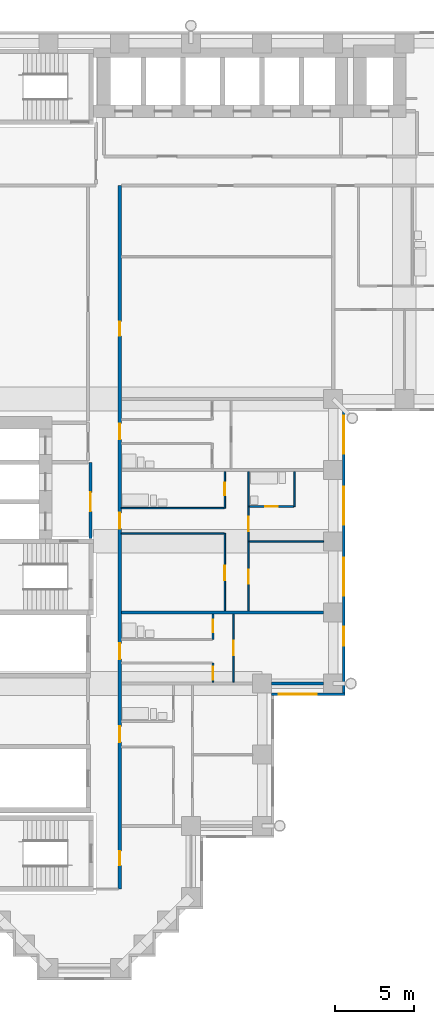
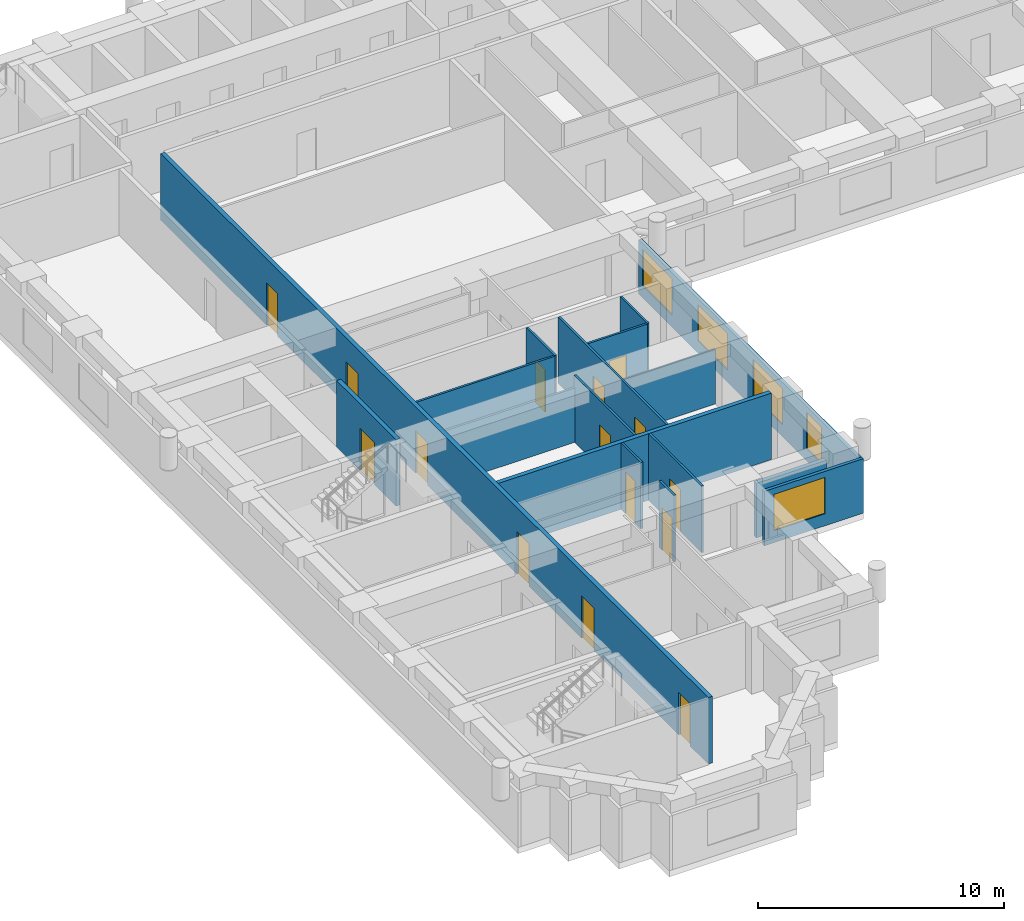
# One storey, part 6 of 14: 17 walls, 15 doors, 5 windows, 20 openings.
"""IFC4 building model written with IfcOpenShell, lengths in metres."""

import ifcopenshell
import ifcopenshell.guid

model = None  # the IFC model being written
_history = None  # IfcOwnerHistory: only IFC2X3 demands one
_inside = {}  # id of a spatial element -> (the spatial element, [elements in it])
_under = {}  # id of a project, library or spatial element -> (it, [spatial elements below it])
_declared = {}  # id of a project -> (the project, [libraries it declares])
_typed = {}  # id of a type object -> (the type object, [elements of that type])
_made_of = {}  # id of a material, layer set ... -> (it, [elements and type objects made of it])


def new_model(schema):
    """Start an empty IFC model of exactly this schema.

    Asked for "IFC4X3", IfcOpenShell would pick the latest addendum, in which some entities
    have other attributes; the version numbers below select the first issue.
    IFC2X3 requires an IfcOwnerHistory on every rooted entity: one is made here for all.
    """
    global model, _history
    if schema == "IFC4X3":
        model = ifcopenshell.file(schema_version=(4, 3, 0, 0))
    else:
        model = ifcopenshell.file(schema=schema)
    _inside.clear()
    _under.clear()
    _declared.clear()
    _typed.clear()
    _made_of.clear()
    _history = None
    if model.schema == "IFC2X3":
        org = make("IfcOrganization", Name="unknown")
        user = make(
            "IfcPersonAndOrganization",
            ThePerson=make("IfcPerson", FamilyName="unknown"),
            TheOrganization=org,
        )
        app = make(
            "IfcApplication",
            ApplicationDeveloper=org,
            Version="unknown",
            ApplicationFullName="unknown",
            ApplicationIdentifier="unknown",
        )
        _history = make(
            "IfcOwnerHistory",
            OwningUser=user,
            OwningApplication=app,
            ChangeAction="ADDED",
            CreationDate=0,
        )
    return model


def make(cls, **values):
    """One entity of the class cls with the attributes given. An attribute that is None is left unset."""
    return model.create_entity(
        cls, **{name: value for name, value in values.items() if value is not None}
    )


def rooted(cls, **values):
    """An entity with a GlobalId (a new one), such as an element, a storey or a relation."""
    return make(cls, GlobalId=ifcopenshell.guid.new(), OwnerHistory=_history, **values)


def si_unit(unit_type, name, prefix=None):
    """IfcSIUnit, for example si_unit("LENGTHUNIT", "METRE", prefix="MILLI")."""
    return make("IfcSIUnit", UnitType=unit_type, Prefix=prefix, Name=name)


def assignment(units):
    """IfcUnitAssignment: the units of a project."""
    return None if units is None else make("IfcUnitAssignment", Units=units)


def point(xyz):
    """IfcCartesianPoint."""
    return None if xyz is None else make("IfcCartesianPoint", Coordinates=xyz)


def direction(xyz):
    """IfcDirection."""
    return None if xyz is None else make("IfcDirection", DirectionRatios=xyz)


def frame(location, z_axis=None, x_axis=None):
    """IfcAxis2Placement3D, a coordinate frame: its origin and axes. An axis left out is left unset."""
    return make(
        "IfcAxis2Placement3D",
        Location=point(location),
        Axis=direction(z_axis),
        RefDirection=direction(x_axis),
    )


def frame_2d(location, x_axis=None):
    """IfcAxis2Placement2D, a coordinate frame in the plane: its origin and x axis."""
    return make(
        "IfcAxis2Placement2D", Location=point(location), RefDirection=direction(x_axis)
    )


def origin():
    """The frame at (0, 0, 0) with its axes left unset."""
    return frame((0.0, 0.0, 0.0))


def place(relative_to, where):
    """IfcLocalPlacement: puts the frame where relative to a parent placement (None: the world)."""
    return make(
        "IfcLocalPlacement", PlacementRelTo=relative_to, RelativePlacement=where
    )


def context(
    kind, dimensions, precision=None, world=None, true_north=None, identifier=None
):
    """IfcGeometricRepresentationContext, for example the 3D "Model" context."""
    return make(
        "IfcGeometricRepresentationContext",
        ContextIdentifier=identifier,
        ContextType=kind,
        CoordinateSpaceDimension=dimensions,
        Precision=precision,
        WorldCoordinateSystem=world,
        TrueNorth=true_north,
    )


def subcontext(parent, identifier, kind, view, scale=None):
    """IfcGeometricRepresentationSubContext, for example "Body" below "Model"."""
    return make(
        "IfcGeometricRepresentationSubContext",
        ContextIdentifier=identifier,
        ContextType=kind,
        ParentContext=parent,
        TargetScale=scale,
        TargetView=view,
    )


def project(units=None, contexts=None):
    """IfcProject with its units and contexts."""
    return rooted(
        "IfcProject",
        Name="project",
        RepresentationContexts=contexts,
        UnitsInContext=assignment(units),
    )


def spatial(cls, under=None, at=None, **own):
    """A site, building, storey or space (cls), placed at a placement, below another one or the project."""
    s = rooted(cls, ObjectPlacement=at, **own)
    if under is not None:
        _under.setdefault(under.id(), (under, []))[1].append(s)
    return s


def profile(cls, at=None, kind="AREA", **sizes):
    """A parametric profile (cls). Its sizes go by their IFC names, for example OverallWidth=200.0."""
    return make(cls, ProfileType=kind, Position=at, **sizes)


def rectangle(**sizes):
    """IfcRectangleProfileDef."""
    return profile("IfcRectangleProfileDef", **sizes)


def extrude(swept, where, along, depth):
    """IfcExtrudedAreaSolid: the profile swept, set in the frame where, extruded along a direction by depth."""
    return make(
        "IfcExtrudedAreaSolid",
        SweptArea=swept,
        Position=where,
        ExtrudedDirection=direction(along),
        Depth=depth,
    )


def shape(context_of_items, identifier, shape_type, items):
    """IfcShapeRepresentation: the items that make up one representation, for example the "Body"."""
    return make(
        "IfcShapeRepresentation",
        ContextOfItems=context_of_items,
        RepresentationIdentifier=identifier,
        RepresentationType=shape_type,
        Items=items,
    )


def material(Name=None, Category=None):
    """IfcMaterial."""
    return make("IfcMaterial", Name=Name, Category=Category)


def layer(
    of_material, thickness, ventilated=None, Name=None, Category=None, Priority=None
):
    """IfcMaterialLayer: one layer of a wall or slab, of a material (None: an air gap)."""
    return make(
        "IfcMaterialLayer",
        Material=of_material,
        LayerThickness=thickness,
        IsVentilated=ventilated,
        Name=Name,
        Category=Category,
        Priority=Priority,
    )


def layer_set(layers, Name=None):
    """IfcMaterialLayerSet."""
    return make("IfcMaterialLayerSet", MaterialLayers=layers, LayerSetName=Name)


def made_of(thing, what):
    """Note that an element or type object is made of a material, layer set ...; save() writes the relation."""
    if what is not None:
        _made_of.setdefault(what.id(), (what, []))[1].append(thing)
    return thing


def type_object(cls, material=None, **own):
    """A type object (cls), such as IfcWallType, which elements share."""
    return made_of(rooted(cls, **own), material)


def element(
    cls,
    number,
    at=None,
    inside=None,
    cuts=None,
    type_object=None,
    material=None,
    context=None,
    identifier="Body",
    shape_type=None,
    held_by="IfcProductDefinitionShape",
    body=None,
    shapes=None,
    **own,
):
    """One element of the class cls, such as IfcWall. Its Tag is "e" and its number.

    at: its placement. inside: the storey or other place that contains it. cuts: it is an
    opening in that element (IfcRelVoidsElement). A single representation is given by context,
    identifier, shape_type and body (its items); several are given by shapes. held_by: the class
    of the entity that holds the representations. save() writes the other relations.
    """
    e = rooted(cls, Tag="e%d" % number, ObjectPlacement=at, **own)
    if body is not None:
        shapes = [shape(context, identifier, shape_type, body)]
    if shapes is not None:
        e.Representation = make(held_by, Representations=shapes)
    if inside is not None:
        _inside.setdefault(inside.id(), (inside, []))[1].append(e)
    if cuts is not None:
        rooted(
            "IfcRelVoidsElement", RelatingBuildingElement=cuts, RelatedOpeningElement=e
        )
    if type_object is not None:
        _typed.setdefault(type_object.id(), (type_object, []))[1].append(e)
    return made_of(e, material)


def fill(opening, filler):
    """IfcRelFillsElement: the door or window that sits in an opening."""
    return rooted(
        "IfcRelFillsElement",
        RelatingOpeningElement=opening,
        RelatedBuildingElement=filler,
    )


def aggregate(whole, parts):
    """IfcRelAggregates: a whole, such as a stair, and the parts it consists of."""
    return rooted("IfcRelAggregates", RelatingObject=whole, RelatedObjects=parts)


def save(model, path):
    """Write the relations noted so far, then the file.

    IfcRelAggregates (storeys below a building ...), IfcRelContainedInSpatialStructure (elements
    in a storey), IfcRelDefinesByType, IfcRelAssociatesMaterial and IfcRelDeclares: one each for
    every whole, place, type object, material and project.
    """
    for whole, parts in _under.values():
        aggregate(whole, parts)
    for where, things in _inside.values():
        rooted(
            "IfcRelContainedInSpatialStructure",
            RelatedElements=things,
            RelatingStructure=where,
        )
    for kind, things in _typed.values():
        rooted("IfcRelDefinesByType", RelatedObjects=things, RelatingType=kind)
    for what, things in _made_of.values():
        rooted("IfcRelAssociatesMaterial", RelatedObjects=things, RelatingMaterial=what)
    for by, libraries in _declared.values():
        rooted("IfcRelDeclares", RelatingContext=by, RelatedDefinitions=libraries)
    model.write(path)


model = new_model("IFC4")

# Units and contexts
model_context = context("Model", 3, precision=1e-05, world=origin(), true_north=direction((0.0, 1.0)))
body_context = subcontext(model_context, "Body", "Model", "MODEL_VIEW")
ifc_project = project(units=[si_unit("LENGTHUNIT", "METRE"), si_unit("AREAUNIT", "SQUARE_METRE"), si_unit("VOLUMEUNIT", "CUBIC_METRE"), si_unit("PLANEANGLEUNIT", "RADIAN"), si_unit("MASSUNIT", "GRAM", prefix="KILO")], contexts=[model_context])

# Site, building, storey
site_placement = place(None, origin())
site = spatial("IfcSite", under=ifc_project, at=site_placement, CompositionType="ELEMENT")
building_placement = place(site_placement, origin())
building = spatial("IfcBuilding", under=site, at=building_placement, Name="Firuza Court", CompositionType="ELEMENT")
storey_placement = place(building_placement, frame((0.0, 0.0, 90.199951171875)))
storey = spatial("IfcBuildingStorey", under=building, at=storey_placement, Name="L22", CompositionType="ELEMENT", Elevation=90.199951171875)

# Wall
ifc_material_1 = material(Name="Moisture-resistant gypsum board partition")
ifc_layer_1 = layer(ifc_material_1, 0.10009765625)
ifc_layer_set_1 = layer_set([ifc_layer_1], Name="Moisture-resistant gypsum board partition")
wall_type_1 = type_object("IfcWallType", Name="Bathroom partition 100", PredefinedType="PLUMBINGWALL", material=ifc_layer_set_1)
wall_1_placement = place(storey_placement, frame((9.10009765625, 29.10009765625, 0.0), z_axis=(0.0, 0.0, 1.0), x_axis=(1.0, 0.0, 0.0)))
element("IfcWall", 1, at=wall_1_placement, inside=storey, type_object=wall_type_1, Name="Bathroom partition 100 L22", PredefinedType="PLUMBINGWALL", context=body_context, shape_type="SweptSolid", body=[
    extrude(rectangle(XDim=6.5, YDim=0.10009765625, at=frame_2d((3.25, 0.0))), origin(), (0.0, 0.0, 1.0), 3.300048828125),
])

# Wall, opening, door
wall_2_placement = place(storey_placement, frame((17.199951171875, 29.199951171875, 0.0), z_axis=(0.0, 0.0, 1.0), x_axis=(1.0, 0.0, 0.0)))
wall_2 = element("IfcWall", 2, at=wall_2_placement, inside=storey, type_object=wall_type_1, Name="Bathroom partition 100 L22", PredefinedType="PLUMBINGWALL", context=body_context, shape_type="SweptSolid", body=[
    extrude(rectangle(XDim=2.800048828125, YDim=0.10009765625, at=frame_2d((1.39990234375, 0.0))), origin(), (0.0, 0.0, 1.0), 3.300048828125),
])
opening_1_placement = place(wall_2_placement, frame((1.0, 0.0, 0.0)))
opening_1 = element("IfcOpeningElement", 3, at=opening_1_placement, cuts=wall_2, Name="Opening D22037", PredefinedType="OPENING", context=body_context, shape_type="SweptSolid", body=[
    extrude(rectangle(XDim=0.800048828125, YDim=2.10009765625, at=frame_2d((0.39990234375, 1.050048828125))), frame((0.0, 0.06201171875, 0.0), z_axis=(0.0, -1.0, 0.0), x_axis=(1.0, 0.0, 0.0)), (0.0, 0.0, 1.0), 0.1240234375),
])
ifc_material_2 = material(Name="Timber door leaf in hardwood frame", Category="wood")
door_type_1 = type_object("IfcDoorType", Name="Bathroom door 800", OperationType="SINGLE_SWING_LEFT", PredefinedType="DOOR", material=ifc_material_2)
door_1_placement = place(opening_1_placement, origin())
door_1 = element("IfcDoor", 4, at=door_1_placement, inside=storey, type_object=door_type_1, Name="En-suite door", OperationType="SINGLE_SWING_LEFT", OverallHeight=2.10009765625, OverallWidth=0.800048828125, PredefinedType="DOOR", context=body_context, shape_type="SweptSolid", body=[
    extrude(rectangle(XDim=0.800048828125, YDim=2.10009765625, at=frame_2d((0.39990234375, 1.050048828125))), frame((0.0, 0.02490234375, 0.0), z_axis=(0.0, -1.0, 0.0), x_axis=(1.0, 0.0, 0.0)), (0.0, 0.0, 1.0), 0.050048828125),
])
fill(opening_1, door_1)

# Wall
wall_3_placement = place(storey_placement, frame((20.050048828125, 29.199951171875, 0.0), z_axis=(0.0, 0.0, 1.0), x_axis=(0.0, 1.0, 0.0)))
element("IfcWall", 5, at=wall_3_placement, inside=storey, type_object=wall_type_1, Name="Bathroom partition 100 L22", PredefinedType="PLUMBINGWALL", context=body_context, shape_type="SweptSolid", body=[
    extrude(rectangle(XDim=2.199951171875, YDim=0.10009765625, at=frame_2d((1.10009765625, 0.0))), origin(), (0.0, 0.0, 1.0), 3.300048828125),
])

# Wall, openings, doors
ifc_material_3 = material(Name="Blockwork, plastered both sides", Category="masonry")
ifc_layer_2 = layer(ifc_material_3, 0.199951171875)
ifc_layer_set_2 = layer_set([ifc_layer_2], Name="Blockwork, plastered both sides")
wall_type_2 = type_object("IfcWallType", Name="Corridor wall 200", PredefinedType="PARTITIONING", material=ifc_layer_set_2)
wall_4_placement = place(storey_placement, frame((9.0, 5.0, 0.0), z_axis=(0.0, 0.0, 1.0), x_axis=(0.0, 1.0, 0.0)))
wall_4 = element("IfcWall", 6, at=wall_4_placement, inside=storey, type_object=wall_type_2, Name="Corridor wall 200 L22", PredefinedType="PARTITIONING", context=body_context, shape_type="SweptSolid", body=[
    extrude(rectangle(XDim=44.5, YDim=0.199951171875, at=frame_2d((22.25, 0.0))), origin(), (0.0, 0.0, 1.0), 3.300048828125),
])
opening_2_placement = place(wall_4_placement, frame((28.449951171875, 0.0, 0.0)))
opening_2 = element("IfcOpeningElement", 7, at=opening_2_placement, cuts=wall_4, Name="Opening D22019", PredefinedType="OPENING", context=body_context, shape_type="SweptSolid", body=[
    extrude(rectangle(XDim=1.0, YDim=2.10009765625, at=frame_2d((0.5, 1.050048828125))), frame((0.0, 0.11181640625, 0.0), z_axis=(0.0, -1.0, 0.0), x_axis=(1.0, 0.0, 0.0)), (0.0, 0.0, 1.0), 0.223876953125),
])
opening_3_placement = place(wall_4_placement, frame((22.800048828125, 0.0, 0.0)))
opening_3 = element("IfcOpeningElement", 8, at=opening_3_placement, cuts=wall_4, Name="Opening D22020", PredefinedType="OPENING", context=body_context, shape_type="SweptSolid", body=[
    extrude(rectangle(XDim=1.0, YDim=2.10009765625, at=frame_2d((0.5, 1.050048828125))), frame((0.0, 0.11181640625, 0.0), z_axis=(0.0, -1.0, 0.0), x_axis=(1.0, 0.0, 0.0)), (0.0, 0.0, 1.0), 0.223876953125),
])
opening_4_placement = place(wall_4_placement, frame((14.550048828125, 0.0, 0.0)))
opening_4 = element("IfcOpeningElement", 9, at=opening_4_placement, cuts=wall_4, Name="Opening D22021", PredefinedType="OPENING", context=body_context, shape_type="SweptSolid", body=[
    extrude(rectangle(XDim=1.0, YDim=2.10009765625, at=frame_2d((0.5, 1.050048828125))), frame((0.0, 0.11181640625, 0.0), z_axis=(0.0, -1.0, 0.0), x_axis=(1.0, 0.0, 0.0)), (0.0, 0.0, 1.0), 0.223876953125),
])
opening_5_placement = place(wall_4_placement, frame((9.300048828125, 0.0, 0.0)))
opening_5 = element("IfcOpeningElement", 10, at=opening_5_placement, cuts=wall_4, Name="Opening D22022", PredefinedType="OPENING", context=body_context, shape_type="SweptSolid", body=[
    extrude(rectangle(XDim=1.0, YDim=2.10009765625, at=frame_2d((0.5, 1.050048828125))), frame((0.0, 0.11181640625, 0.0), z_axis=(0.0, -1.0, 0.0), x_axis=(1.0, 0.0, 0.0)), (0.0, 0.0, 1.0), 0.223876953125),
])
opening_6_placement = place(wall_4_placement, frame((35.0, 0.0, 0.0)))
opening_6 = element("IfcOpeningElement", 11, at=opening_6_placement, cuts=wall_4, Name="Opening D22023", PredefinedType="OPENING", context=body_context, shape_type="SweptSolid", body=[
    extrude(rectangle(XDim=0.89990234375, YDim=2.10009765625, at=frame_2d((0.449951171875, 1.050048828125))), frame((0.0, 0.11181640625, 0.0), z_axis=(0.0, -1.0, 0.0), x_axis=(1.0, 0.0, 0.0)), (0.0, 0.0, 1.0), 0.223876953125),
])
opening_7_placement = place(wall_4_placement, frame((1.5, 0.0, 0.0)))
opening_7 = element("IfcOpeningElement", 12, at=opening_7_placement, cuts=wall_4, Name="Opening D22024", PredefinedType="OPENING", context=body_context, shape_type="SweptSolid", body=[
    extrude(rectangle(XDim=0.89990234375, YDim=2.10009765625, at=frame_2d((0.449951171875, 1.050048828125))), frame((0.0, 0.11181640625, 0.0), z_axis=(0.0, -1.0, 0.0), x_axis=(1.0, 0.0, 0.0)), (0.0, 0.0, 1.0), 0.223876953125),
])
ifc_material_4 = material(Name="Timber door leaf in hardwood frame", Category="wood")
door_type_2 = type_object("IfcDoorType", Name="Flat entrance door 1000", OperationType="SINGLE_SWING_LEFT", PredefinedType="DOOR", material=ifc_material_4)
door_2_placement = place(opening_2_placement, origin())
door_2 = element("IfcDoor", 13, at=door_2_placement, inside=storey, type_object=door_type_2, Name="Flat entrance door", OperationType="SINGLE_SWING_LEFT", OverallHeight=2.10009765625, OverallWidth=1.0, PredefinedType="DOOR", context=body_context, shape_type="SweptSolid", body=[
    extrude(rectangle(XDim=1.0, YDim=2.10009765625, at=frame_2d((0.5, 1.050048828125))), frame((0.0, 0.02490234375, 0.0), z_axis=(0.0, -1.0, 0.0), x_axis=(1.0, 0.0, 0.0)), (0.0, 0.0, 1.0), 0.050048828125),
])
fill(opening_2, door_2)
door_3_placement = place(opening_3_placement, origin())
door_3 = element("IfcDoor", 14, at=door_3_placement, inside=storey, type_object=door_type_2, Name="Flat entrance door", OperationType="SINGLE_SWING_LEFT", OverallHeight=2.10009765625, OverallWidth=1.0, PredefinedType="DOOR", context=body_context, shape_type="SweptSolid", body=[
    extrude(rectangle(XDim=1.0, YDim=2.10009765625, at=frame_2d((0.5, 1.050048828125))), frame((0.0, 0.02490234375, 0.0), z_axis=(0.0, -1.0, 0.0), x_axis=(1.0, 0.0, 0.0)), (0.0, 0.0, 1.0), 0.050048828125),
])
fill(opening_3, door_3)
door_4_placement = place(opening_4_placement, origin())
door_4 = element("IfcDoor", 15, at=door_4_placement, inside=storey, type_object=door_type_2, Name="Flat entrance door", OperationType="SINGLE_SWING_LEFT", OverallHeight=2.10009765625, OverallWidth=1.0, PredefinedType="DOOR", context=body_context, shape_type="SweptSolid", body=[
    extrude(rectangle(XDim=1.0, YDim=2.10009765625, at=frame_2d((0.5, 1.050048828125))), frame((0.0, 0.02490234375, 0.0), z_axis=(0.0, -1.0, 0.0), x_axis=(1.0, 0.0, 0.0)), (0.0, 0.0, 1.0), 0.050048828125),
])
fill(opening_4, door_4)
door_5_placement = place(opening_5_placement, origin())
door_5 = element("IfcDoor", 16, at=door_5_placement, inside=storey, type_object=door_type_2, Name="Flat entrance door", OperationType="SINGLE_SWING_LEFT", OverallHeight=2.10009765625, OverallWidth=1.0, PredefinedType="DOOR", context=body_context, shape_type="SweptSolid", body=[
    extrude(rectangle(XDim=1.0, YDim=2.10009765625, at=frame_2d((0.5, 1.050048828125))), frame((0.0, 0.02490234375, 0.0), z_axis=(0.0, -1.0, 0.0), x_axis=(1.0, 0.0, 0.0)), (0.0, 0.0, 1.0), 0.050048828125),
])
fill(opening_5, door_5)
ifc_material_5 = material(Name="Timber door leaf in hardwood frame", Category="wood")
door_type_3 = type_object("IfcDoorType", Name="Room door 900 EI 30", OperationType="SINGLE_SWING_LEFT", PredefinedType="DOOR", material=ifc_material_5)
door_6_placement = place(opening_6_placement, frame((0.89990234375, 0.0, 0.0), z_axis=(0.0, 0.0, 1.0), x_axis=(-1.0, 0.0, 0.0)))
door_6 = element("IfcDoor", 17, at=door_6_placement, inside=storey, type_object=door_type_3, Name="Meeting room door", OperationType="SINGLE_SWING_RIGHT", OverallHeight=2.10009765625, OverallWidth=0.89990234375, PredefinedType="DOOR", context=body_context, shape_type="SweptSolid", body=[
    extrude(rectangle(XDim=0.89990234375, YDim=2.10009765625, at=frame_2d((0.449951171875, 1.050048828125))), frame((0.0, 0.02490234375, 0.0), z_axis=(0.0, -1.0, 0.0), x_axis=(1.0, 0.0, 0.0)), (0.0, 0.0, 1.0), 0.050048828125),
])
fill(opening_6, door_6)
door_7_placement = place(opening_7_placement, origin())
door_7 = element("IfcDoor", 18, at=door_7_placement, inside=storey, type_object=door_type_3, Name="Fitness studio door", OperationType="SINGLE_SWING_LEFT", OverallHeight=2.10009765625, OverallWidth=0.89990234375, PredefinedType="DOOR", context=body_context, shape_type="SweptSolid", body=[
    extrude(rectangle(XDim=0.89990234375, YDim=2.10009765625, at=frame_2d((0.449951171875, 1.050048828125))), frame((0.0, 0.02490234375, 0.0), z_axis=(0.0, -1.0, 0.0), x_axis=(1.0, 0.0, 0.0)), (0.0, 0.0, 1.0), 0.050048828125),
])
fill(opening_7, door_7)

# Wall, opening, door
ifc_material_6 = material(Name="Timber stud partition, plasterboard both sides", Category="wood")
ifc_layer_3 = layer(ifc_material_6, 0.10009765625)
ifc_layer_set_3 = layer_set([ifc_layer_3], Name="Timber stud partition, plasterboard both sides")
wall_type_3 = type_object("IfcWallType", Name="Partition wall 100", PredefinedType="PARTITIONING", material=ifc_layer_set_3)
wall_5_placement = place(storey_placement, frame((14.89990234375, 18.10009765625, 0.0), z_axis=(0.0, 0.0, 1.0), x_axis=(0.0, 1.0, 0.0)))
wall_5 = element("IfcWall", 19, at=wall_5_placement, inside=storey, type_object=wall_type_3, Name="Partition wall 100 L22", PredefinedType="PARTITIONING", context=body_context, shape_type="SweptSolid", body=[
    extrude(rectangle(XDim=1.199951171875, YDim=0.10009765625, at=frame_2d((0.60009765625, 0.0))), origin(), (0.0, 0.0, 1.0), 3.300048828125),
])
opening_8_placement = place(wall_5_placement, frame((0.14990234375, 0.0, 0.0)))
opening_8 = element("IfcOpeningElement", 20, at=opening_8_placement, cuts=wall_5, Name="Opening D22030", PredefinedType="OPENING", context=body_context, shape_type="SweptSolid", body=[
    extrude(rectangle(XDim=0.800048828125, YDim=2.10009765625, at=frame_2d((0.39990234375, 1.050048828125))), frame((0.0, 0.06201171875, 0.0), z_axis=(0.0, -1.0, 0.0), x_axis=(1.0, 0.0, 0.0)), (0.0, 0.0, 1.0), 0.1240234375),
])
ifc_material_7 = material(Name="Timber door leaf in hardwood frame", Category="wood")
door_type_4 = type_object("IfcDoorType", Name="Room door 800", OperationType="SINGLE_SWING_LEFT", PredefinedType="DOOR", material=ifc_material_7)
door_8_placement = place(opening_8_placement, origin())
door_8 = element("IfcDoor", 21, at=door_8_placement, inside=storey, type_object=door_type_4, Name="Kitchen door", OperationType="SINGLE_SWING_LEFT", OverallHeight=2.10009765625, OverallWidth=0.800048828125, PredefinedType="DOOR", context=body_context, shape_type="SweptSolid", body=[
    extrude(rectangle(XDim=0.800048828125, YDim=2.10009765625, at=frame_2d((0.39990234375, 1.050048828125))), frame((0.0, 0.02490234375, 0.0), z_axis=(0.0, -1.0, 0.0), x_axis=(1.0, 0.0, 0.0)), (0.0, 0.0, 1.0), 0.050048828125),
])
fill(opening_8, door_8)

wall_6_placement = place(storey_placement, frame((16.199951171875, 18.10009765625, 0.0), z_axis=(0.0, 0.0, 1.0), x_axis=(0.0, 1.0, 0.0)))
wall_6 = element("IfcWall", 22, at=wall_6_placement, inside=storey, type_object=wall_type_3, Name="Partition wall 100 L22", PredefinedType="PARTITIONING", context=body_context, shape_type="SweptSolid", body=[
    extrude(rectangle(XDim=4.2998046875, YDim=0.10009765625, at=frame_2d((2.14990234375, 0.0))), origin(), (0.0, 0.0, 1.0), 3.300048828125),
])
opening_9_placement = place(wall_6_placement, frame((1.699951171875, 0.0, 0.0)))
opening_9 = element("IfcOpeningElement", 23, at=opening_9_placement, cuts=wall_6, Name="Opening D22031", PredefinedType="OPENING", context=body_context, shape_type="SweptSolid", body=[
    extrude(rectangle(XDim=0.89990234375, YDim=2.10009765625, at=frame_2d((0.449951171875, 1.050048828125))), frame((0.0, 0.06201171875, 0.0), z_axis=(0.0, -1.0, 0.0), x_axis=(1.0, 0.0, 0.0)), (0.0, 0.0, 1.0), 0.1240234375),
])
ifc_material_8 = material(Name="Timber door leaf in hardwood frame", Category="wood")
door_type_5 = type_object("IfcDoorType", Name="Room door 900", OperationType="SINGLE_SWING_LEFT", PredefinedType="DOOR", material=ifc_material_8)
door_9_placement = place(opening_9_placement, frame((0.89990234375, 0.0, 0.0), z_axis=(0.0, 0.0, 1.0), x_axis=(-1.0, 0.0, 0.0)))
door_9 = element("IfcDoor", 24, at=door_9_placement, inside=storey, type_object=door_type_5, Name="Studio room door", OperationType="SINGLE_SWING_RIGHT", OverallHeight=2.10009765625, OverallWidth=0.89990234375, PredefinedType="DOOR", context=body_context, shape_type="SweptSolid", body=[
    extrude(rectangle(XDim=0.89990234375, YDim=2.10009765625, at=frame_2d((0.449951171875, 1.050048828125))), frame((0.0, 0.02490234375, 0.0), z_axis=(0.0, -1.0, 0.0), x_axis=(1.0, 0.0, 0.0)), (0.0, 0.0, 1.0), 0.050048828125),
])
fill(opening_9, door_9)

wall_7_placement = place(storey_placement, frame((14.89990234375, 20.800048828125, 0.0), z_axis=(0.0, 0.0, 1.0), x_axis=(0.0, 1.0, 0.0)))
wall_7 = element("IfcWall", 25, at=wall_7_placement, inside=storey, type_object=wall_type_3, Name="Partition wall 100 L22", PredefinedType="PARTITIONING", context=body_context, shape_type="SweptSolid", body=[
    extrude(rectangle(XDim=1.599853515625, YDim=0.10009765625, at=frame_2d((0.7998046875, 0.0))), origin(), (0.0, 0.0, 1.0), 3.300048828125),
])
opening_10_placement = place(wall_7_placement, frame((0.449951171875, 0.0, 0.0)))
opening_10 = element("IfcOpeningElement", 26, at=opening_10_placement, cuts=wall_7, Name="Opening D22032", PredefinedType="OPENING", context=body_context, shape_type="SweptSolid", body=[
    extrude(rectangle(XDim=0.800048828125, YDim=2.10009765625, at=frame_2d((0.39990234375, 1.050048828125))), frame((0.0, 0.06201171875, 0.0), z_axis=(0.0, -1.0, 0.0), x_axis=(1.0, 0.0, 0.0)), (0.0, 0.0, 1.0), 0.1240234375),
])
door_10_placement = place(opening_10_placement, origin())
door_10 = element("IfcDoor", 27, at=door_10_placement, inside=storey, type_object=door_type_1, Name="Bathroom door", OperationType="SINGLE_SWING_LEFT", OverallHeight=2.10009765625, OverallWidth=0.800048828125, PredefinedType="DOOR", context=body_context, shape_type="SweptSolid", body=[
    extrude(rectangle(XDim=0.800048828125, YDim=2.10009765625, at=frame_2d((0.39990234375, 1.050048828125))), frame((0.0, 0.02490234375, 0.0), z_axis=(0.0, -1.0, 0.0), x_axis=(1.0, 0.0, 0.0)), (0.0, 0.0, 1.0), 0.050048828125),
])
fill(opening_10, door_10)

wall_8_placement = place(storey_placement, frame((15.64990234375, 22.60009765625, 0.0), z_axis=(0.0, 0.0, 1.0), x_axis=(0.0, 1.0, 0.0)))
wall_8 = element("IfcWall", 28, at=wall_8_placement, inside=storey, type_object=wall_type_3, Name="Partition wall 100 L22", PredefinedType="PARTITIONING", context=body_context, shape_type="SweptSolid", body=[
    extrude(rectangle(XDim=4.89990234375, YDim=0.10009765625, at=frame_2d((2.449951171875, 0.0))), origin(), (0.0, 0.0, 1.0), 3.300048828125),
])
opening_11_placement = place(wall_8_placement, frame((1.949951171875, 0.0, 0.0)))
opening_11 = element("IfcOpeningElement", 29, at=opening_11_placement, cuts=wall_8, Name="Opening D22033", PredefinedType="OPENING", context=body_context, shape_type="SweptSolid", body=[
    extrude(rectangle(XDim=0.89990234375, YDim=2.10009765625, at=frame_2d((0.449951171875, 1.050048828125))), frame((0.0, 0.06201171875, 0.0), z_axis=(0.0, -1.0, 0.0), x_axis=(1.0, 0.0, 0.0)), (0.0, 0.0, 1.0), 0.1240234375),
])
door_11_placement = place(opening_11_placement, origin())
door_11 = element("IfcDoor", 30, at=door_11_placement, inside=storey, type_object=door_type_5, Name="Kitchen door", OperationType="SINGLE_SWING_LEFT", OverallHeight=2.10009765625, OverallWidth=0.89990234375, PredefinedType="DOOR", context=body_context, shape_type="SweptSolid", body=[
    extrude(rectangle(XDim=0.89990234375, YDim=2.10009765625, at=frame_2d((0.449951171875, 1.050048828125))), frame((0.0, 0.02490234375, 0.0), z_axis=(0.0, -1.0, 0.0), x_axis=(1.0, 0.0, 0.0)), (0.0, 0.0, 1.0), 0.050048828125),
])
fill(opening_11, door_11)

# Wall, openings, doors
wall_9_placement = place(storey_placement, frame((17.14990234375, 22.60009765625, 0.0), z_axis=(0.0, 0.0, 1.0), x_axis=(0.0, 1.0, 0.0)))
wall_9 = element("IfcWall", 31, at=wall_9_placement, inside=storey, type_object=wall_type_3, Name="Partition wall 100 L22", PredefinedType="PARTITIONING", context=body_context, shape_type="SweptSolid", body=[
    extrude(rectangle(XDim=8.7998046875, YDim=0.10009765625, at=frame_2d((4.39990234375, 0.0))), origin(), (0.0, 0.0, 1.0), 3.300048828125),
])
opening_12_placement = place(wall_9_placement, frame((1.699951171875, 0.0, 0.0)))
opening_12 = element("IfcOpeningElement", 32, at=opening_12_placement, cuts=wall_9, Name="Opening D22034", PredefinedType="OPENING", context=body_context, shape_type="SweptSolid", body=[
    extrude(rectangle(XDim=0.89990234375, YDim=2.10009765625, at=frame_2d((0.449951171875, 1.050048828125))), frame((0.0, 0.06201171875, 0.0), z_axis=(0.0, -1.0, 0.0), x_axis=(1.0, 0.0, 0.0)), (0.0, 0.0, 1.0), 0.1240234375),
])
opening_13_placement = place(wall_9_placement, frame((5.050048828125, 0.0, 0.0)))
opening_13 = element("IfcOpeningElement", 33, at=opening_13_placement, cuts=wall_9, Name="Opening D22035", PredefinedType="OPENING", context=body_context, shape_type="SweptSolid", body=[
    extrude(rectangle(XDim=0.89990234375, YDim=2.10009765625, at=frame_2d((0.449951171875, 1.050048828125))), frame((0.0, 0.06201171875, 0.0), z_axis=(0.0, -1.0, 0.0), x_axis=(1.0, 0.0, 0.0)), (0.0, 0.0, 1.0), 0.1240234375),
])
door_12_placement = place(opening_12_placement, frame((0.89990234375, 0.0, 0.0), z_axis=(0.0, 0.0, 1.0), x_axis=(-1.0, 0.0, 0.0)))
door_12 = element("IfcDoor", 34, at=door_12_placement, inside=storey, type_object=door_type_5, Name="Living room door", OperationType="SINGLE_SWING_RIGHT", OverallHeight=2.10009765625, OverallWidth=0.89990234375, PredefinedType="DOOR", context=body_context, shape_type="SweptSolid", body=[
    extrude(rectangle(XDim=0.89990234375, YDim=2.10009765625, at=frame_2d((0.449951171875, 1.050048828125))), frame((0.0, 0.02490234375, 0.0), z_axis=(0.0, -1.0, 0.0), x_axis=(1.0, 0.0, 0.0)), (0.0, 0.0, 1.0), 0.050048828125),
])
fill(opening_12, door_12)
door_13_placement = place(opening_13_placement, frame((0.89990234375, 0.0, 0.0), z_axis=(0.0, 0.0, 1.0), x_axis=(-1.0, 0.0, 0.0)))
door_13 = element("IfcDoor", 35, at=door_13_placement, inside=storey, type_object=door_type_5, Name="Bedroom door", OperationType="SINGLE_SWING_RIGHT", OverallHeight=2.10009765625, OverallWidth=0.89990234375, PredefinedType="DOOR", context=body_context, shape_type="SweptSolid", body=[
    extrude(rectangle(XDim=0.89990234375, YDim=2.10009765625, at=frame_2d((0.449951171875, 1.050048828125))), frame((0.0, 0.02490234375, 0.0), z_axis=(0.0, -1.0, 0.0), x_axis=(1.0, 0.0, 0.0)), (0.0, 0.0, 1.0), 0.050048828125),
])
fill(opening_13, door_13)

# Walls
wall_10_placement = place(storey_placement, frame((17.199951171875, 27.0, 0.0), z_axis=(0.0, 0.0, 1.0), x_axis=(1.0, 0.0, 0.0)))
element("IfcWall", 36, at=wall_10_placement, inside=storey, type_object=wall_type_3, Name="Partition wall 100 L22", PredefinedType="PARTITIONING", context=body_context, shape_type="SweptSolid", body=[
    extrude(rectangle(XDim=4.699951171875, YDim=0.10009765625, at=frame_2d((2.35009765625, 0.0))), origin(), (0.0, 0.0, 1.0), 2.699951171875),
])
wall_11_placement = place(storey_placement, frame((9.10009765625, 27.5, 0.0), z_axis=(0.0, 0.0, 1.0), x_axis=(1.0, 0.0, 0.0)))
element("IfcWall", 37, at=wall_11_placement, inside=storey, type_object=wall_type_3, Name="Partition wall 100 L22", PredefinedType="PARTITIONING", context=body_context, shape_type="SweptSolid", body=[
    extrude(rectangle(XDim=6.5, YDim=0.10009765625, at=frame_2d((3.25, 0.0))), origin(), (0.0, 0.0, 1.0), 2.699951171875),
])

# Wall, opening, door
wall_12_placement = place(storey_placement, frame((15.64990234375, 29.10009765625, 0.0), z_axis=(0.0, 0.0, 1.0), x_axis=(0.0, 1.0, 0.0)))
wall_12 = element("IfcWall", 38, at=wall_12_placement, inside=storey, type_object=wall_type_3, Name="Partition wall 100 L22", PredefinedType="PARTITIONING", context=body_context, shape_type="SweptSolid", body=[
    extrude(rectangle(XDim=2.2998046875, YDim=0.10009765625, at=frame_2d((1.14990234375, 0.0))), origin(), (0.0, 0.0, 1.0), 3.300048828125),
])
opening_14_placement = place(wall_12_placement, frame((0.800048828125, 0.0, 0.0)))
opening_14 = element("IfcOpeningElement", 39, at=opening_14_placement, cuts=wall_12, Name="Opening D22036", PredefinedType="OPENING", context=body_context, shape_type="SweptSolid", body=[
    extrude(rectangle(XDim=0.800048828125, YDim=2.10009765625, at=frame_2d((0.39990234375, 1.050048828125))), frame((0.0, 0.06201171875, 0.0), z_axis=(0.0, -1.0, 0.0), x_axis=(1.0, 0.0, 0.0)), (0.0, 0.0, 1.0), 0.1240234375),
])
door_14_placement = place(opening_14_placement, origin())
door_14 = element("IfcDoor", 40, at=door_14_placement, inside=storey, type_object=door_type_1, Name="Bathroom door", OperationType="SINGLE_SWING_LEFT", OverallHeight=2.10009765625, OverallWidth=0.800048828125, PredefinedType="DOOR", context=body_context, shape_type="SweptSolid", body=[
    extrude(rectangle(XDim=0.800048828125, YDim=2.10009765625, at=frame_2d((0.39990234375, 1.050048828125))), frame((0.0, 0.02490234375, 0.0), z_axis=(0.0, -1.0, 0.0), x_axis=(1.0, 0.0, 0.0)), (0.0, 0.0, 1.0), 0.050048828125),
])
fill(opening_14, door_14)

# Walls
ifc_layer_4 = layer(ifc_material_3, 0.199951171875)
ifc_layer_set_4 = layer_set([ifc_layer_4], Name="Blockwork, plastered both sides")
wall_type_4 = type_object("IfcWallType", Name="Party wall 200", PredefinedType="PARTITIONING", material=ifc_layer_set_4)
wall_13_placement = place(storey_placement, frame((18.60009765625, 18.0, 0.0), z_axis=(0.0, 0.0, 1.0), x_axis=(1.0, 0.0, 0.0)))
element("IfcWall", 41, at=wall_13_placement, inside=storey, type_object=wall_type_4, Name="Party wall 200 L22", PredefinedType="PARTITIONING", context=body_context, shape_type="SweptSolid", body=[
    extrude(rectangle(XDim=3.2998046875, YDim=0.199951171875, at=frame_2d((1.64990234375, 0.0))), origin(), (0.0, 0.0, 1.0), 2.699951171875),
])
wall_14_placement = place(storey_placement, frame((9.10009765625, 22.5, 0.0), z_axis=(0.0, 0.0, 1.0), x_axis=(1.0, 0.0, 0.0)))
element("IfcWall", 42, at=wall_14_placement, inside=storey, type_object=wall_type_4, Name="Party wall 200 L22", PredefinedType="PARTITIONING", context=body_context, shape_type="SweptSolid", body=[
    extrude(rectangle(XDim=12.7998046875, YDim=0.199951171875, at=frame_2d((6.39990234375, 0.0))), origin(), (0.0, 0.0, 1.0), 3.300048828125),
])

# Wall, opening, window
ifc_material_9 = material(Name="Ceramic tile", Category="ceramic")
ifc_layer_5 = layer(ifc_material_9, 0.02001953125)
ifc_material_10 = material(Name="Mineral wool insulation", Category="insulation")
ifc_layer_6 = layer(ifc_material_10, 0.050048828125)
ifc_material_11 = material(Name="Concrete C40/50 precast", Category="concrete")
ifc_layer_7 = layer(ifc_material_11, 0.080078125)
ifc_layer_set_5 = layer_set([ifc_layer_5, ifc_layer_6, ifc_layer_7], Name="Concrete C40/50 precast")
wall_type_5 = type_object("IfcWallType", Name="Precast cladding wall with turquoise TILE PANEL face 150", PredefinedType="STANDARD", material=ifc_layer_set_5)
wall_15_placement = place(storey_placement, frame((18.60009765625, 17.324951171875, 0.0), z_axis=(0.0, 0.0, 1.0), x_axis=(1.0, 0.0, 0.0)))
wall_15 = element("IfcWall", 43, at=wall_15_placement, inside=storey, type_object=wall_type_5, Name="Facade wall L22 S", PredefinedType="STANDARD", context=body_context, shape_type="SweptSolid", body=[
    extrude(rectangle(XDim=4.64990234375, YDim=0.14990234375, at=frame_2d((2.324951171875, 0.0))), origin(), (0.0, 0.0, 1.0), 2.699951171875),
])
opening_15_placement = place(wall_15_placement, frame((0.449951171875, 0.0, 0.60009765625)))
opening_15 = element("IfcOpeningElement", 44, at=opening_15_placement, cuts=wall_15, Name="Opening W1", PredefinedType="OPENING", context=body_context, shape_type="SweptSolid", body=[
    extrude(rectangle(XDim=2.39990234375, YDim=1.800048828125, at=frame_2d((1.199951171875, 0.89990234375))), frame((0.0, 0.0869140625, 0.0), z_axis=(0.0, -1.0, 0.0), x_axis=(1.0, 0.0, 0.0)), (0.0, 0.0, 1.0), 0.173828125),
])
ifc_material_12 = material(Name="Aluminium frame, triple clear glazing", Category="aluminium")
window_type_1 = type_object("IfcWindowType", Name="Window W1 2400 x 1800", PartitioningType="SINGLE_PANEL", PredefinedType="WINDOW", material=ifc_material_12)
window_1_placement = place(opening_15_placement, origin())
window_1 = element("IfcWindow", 45, at=window_1_placement, inside=storey, type_object=window_type_1, Name="Window L22", OverallHeight=1.800048828125, OverallWidth=2.39990234375, PartitioningType="SINGLE_PANEL", PredefinedType="WINDOW", context=body_context, shape_type="SweptSolid", body=[
    extrude(rectangle(XDim=2.39990234375, YDim=1.800048828125, at=frame_2d((1.199951171875, 0.89990234375))), frame((0.0, 0.030029296875, 0.0), z_axis=(0.0, -1.0, 0.0), x_axis=(1.0, 0.0, 0.0)), (0.0, 0.0, 1.0), 0.06005859375),
])
fill(opening_15, window_1)

# Wall, openings, windows
wall_16_placement = place(storey_placement, frame((23.175048828125, 17.39990234375, 0.0), z_axis=(0.0, 0.0, 1.0), x_axis=(0.0, 1.0, 0.0)))
wall_16 = element("IfcWall", 46, at=wall_16_placement, inside=storey, type_object=wall_type_5, Name="Facade wall L22 E", PredefinedType="STANDARD", context=body_context, shape_type="SweptSolid", body=[
    extrude(rectangle(XDim=17.85009765625, YDim=0.14990234375, at=frame_2d((8.925048828125, 0.0))), origin(), (0.0, 0.0, 1.0), 2.699951171875),
])
opening_16_placement = place(wall_16_placement, frame((3.000244140625, 0.0, 0.60009765625)))
opening_16 = element("IfcOpeningElement", 47, at=opening_16_placement, cuts=wall_16, Name="Opening W8", PredefinedType="OPENING", context=body_context, shape_type="SweptSolid", body=[
    extrude(rectangle(XDim=1.199951171875, YDim=1.800048828125, at=frame_2d((0.60009765625, 0.89990234375))), frame((0.0, 0.0869140625, 0.0), z_axis=(0.0, -1.0, 0.0), x_axis=(1.0, 0.0, 0.0)), (0.0, 0.0, 1.0), 0.173828125),
])
opening_17_placement = place(wall_16_placement, frame((6.14990234375, 0.0, 0.60009765625)))
opening_17 = element("IfcOpeningElement", 48, at=opening_17_placement, cuts=wall_16, Name="Opening W1", PredefinedType="OPENING", context=body_context, shape_type="SweptSolid", body=[
    extrude(rectangle(XDim=2.39990234375, YDim=1.800048828125, at=frame_2d((1.199951171875, 0.89990234375))), frame((0.0, 0.0869140625, 0.0), z_axis=(0.0, -1.0, 0.0), x_axis=(1.0, 0.0, 0.0)), (0.0, 0.0, 1.0), 0.173828125),
])
opening_18_placement = place(wall_16_placement, frame((10.64990234375, 0.0, 0.60009765625)))
opening_18 = element("IfcOpeningElement", 49, at=opening_18_placement, cuts=wall_16, Name="Opening W1", PredefinedType="OPENING", context=body_context, shape_type="SweptSolid", body=[
    extrude(rectangle(XDim=2.39990234375, YDim=1.800048828125, at=frame_2d((1.199951171875, 0.89990234375))), frame((0.0, 0.0869140625, 0.0), z_axis=(0.0, -1.0, 0.0), x_axis=(1.0, 0.0, 0.0)), (0.0, 0.0, 1.0), 0.173828125),
])
opening_19_placement = place(wall_16_placement, frame((15.14990234375, 0.0, 0.60009765625)))
opening_19 = element("IfcOpeningElement", 50, at=opening_19_placement, cuts=wall_16, Name="Opening W1", PredefinedType="OPENING", context=body_context, shape_type="SweptSolid", body=[
    extrude(rectangle(XDim=2.39990234375, YDim=1.800048828125, at=frame_2d((1.199951171875, 0.89990234375))), frame((0.0, 0.0869140625, 0.0), z_axis=(0.0, -1.0, 0.0), x_axis=(1.0, 0.0, 0.0)), (0.0, 0.0, 1.0), 0.173828125),
])
window_2_placement = place(opening_17_placement, origin())
window_2 = element("IfcWindow", 51, at=window_2_placement, inside=storey, type_object=window_type_1, Name="Window L22", OverallHeight=1.800048828125, OverallWidth=2.39990234375, PartitioningType="SINGLE_PANEL", PredefinedType="WINDOW", context=body_context, shape_type="SweptSolid", body=[
    extrude(rectangle(XDim=2.39990234375, YDim=1.800048828125, at=frame_2d((1.199951171875, 0.89990234375))), frame((0.0, 0.030029296875, 0.0), z_axis=(0.0, -1.0, 0.0), x_axis=(1.0, 0.0, 0.0)), (0.0, 0.0, 1.0), 0.06005859375),
])
fill(opening_17, window_2)
window_3_placement = place(opening_18_placement, origin())
window_3 = element("IfcWindow", 52, at=window_3_placement, inside=storey, type_object=window_type_1, Name="Window L22", OverallHeight=1.800048828125, OverallWidth=2.39990234375, PartitioningType="SINGLE_PANEL", PredefinedType="WINDOW", context=body_context, shape_type="SweptSolid", body=[
    extrude(rectangle(XDim=2.39990234375, YDim=1.800048828125, at=frame_2d((1.199951171875, 0.89990234375))), frame((0.0, 0.030029296875, 0.0), z_axis=(0.0, -1.0, 0.0), x_axis=(1.0, 0.0, 0.0)), (0.0, 0.0, 1.0), 0.06005859375),
])
fill(opening_18, window_3)
window_4_placement = place(opening_19_placement, origin())
window_4 = element("IfcWindow", 53, at=window_4_placement, inside=storey, type_object=window_type_1, Name="Window L22", OverallHeight=1.800048828125, OverallWidth=2.39990234375, PartitioningType="SINGLE_PANEL", PredefinedType="WINDOW", context=body_context, shape_type="SweptSolid", body=[
    extrude(rectangle(XDim=2.39990234375, YDim=1.800048828125, at=frame_2d((1.199951171875, 0.89990234375))), frame((0.0, 0.030029296875, 0.0), z_axis=(0.0, -1.0, 0.0), x_axis=(1.0, 0.0, 0.0)), (0.0, 0.0, 1.0), 0.06005859375),
])
fill(opening_19, window_4)
ifc_material_13 = material(Name="Aluminium frame, triple clear glazing", Category="aluminium")
window_type_2 = type_object("IfcWindowType", Name="Window W8 1200 x 1800", PartitioningType="SINGLE_PANEL", PredefinedType="WINDOW", material=ifc_material_13)
window_5_placement = place(opening_16_placement, origin())
window_5 = element("IfcWindow", 54, at=window_5_placement, inside=storey, type_object=window_type_2, Name="Window L22", OverallHeight=1.800048828125, OverallWidth=1.199951171875, PartitioningType="SINGLE_PANEL", PredefinedType="WINDOW", context=body_context, shape_type="SweptSolid", body=[
    extrude(rectangle(XDim=1.199951171875, YDim=1.800048828125, at=frame_2d((0.60009765625, 0.89990234375))), frame((0.0, 0.030029296875, 0.0), z_axis=(0.0, -1.0, 0.0), x_axis=(1.0, 0.0, 0.0)), (0.0, 0.0, 1.0), 0.06005859375),
])
fill(opening_16, window_5)

# Wall, opening, door
ifc_material_14 = material(Name="Blockwork, fire-rated", Category="masonry")
ifc_layer_8 = layer(ifc_material_14, 0.199951171875)
ifc_layer_set_6 = layer_set([ifc_layer_8], Name="Blockwork, fire-rated")
wall_type_6 = type_object("IfcWallType", Name="Shaft wall 200", PredefinedType="PARTITIONING", material=ifc_layer_set_6)
wall_17_placement = place(storey_placement, frame((7.14990234375, 27.169921875, 0.0), z_axis=(0.0, 0.0, 1.0), x_axis=(0.0, 1.0, 0.0)))
wall_17 = element("IfcWall", 55, at=wall_17_placement, inside=storey, type_object=wall_type_6, Name="Shaft wall 200 L22", PredefinedType="PARTITIONING", context=body_context, shape_type="SweptSolid", body=[
    extrude(rectangle(XDim=4.830078125, YDim=0.199951171875, at=frame_2d((2.4150390625, 0.0))), origin(), (0.0, 0.0, 1.0), 3.300048828125),
])
opening_20_placement = place(wall_17_placement, frame((1.72998046875, 0.0, 0.0)))
opening_20 = element("IfcOpeningElement", 56, at=opening_20_placement, cuts=wall_17, Name="Opening D22002", PredefinedType="OPENING", context=body_context, shape_type="SweptSolid", body=[
    extrude(rectangle(XDim=1.199951171875, YDim=2.10009765625, at=frame_2d((0.60009765625, 1.050048828125))), frame((0.0, 0.11181640625, 0.0), z_axis=(0.0, -1.0, 0.0), x_axis=(1.0, 0.0, 0.0)), (0.0, 0.0, 1.0), 0.223876953125),
])
ifc_material_15 = material(Name="Timber door leaf in hardwood frame", Category="wood")
door_type_6 = type_object("IfcDoorType", Name="Lobby door 1200", OperationType="SINGLE_SWING_LEFT", PredefinedType="DOOR", material=ifc_material_15)
door_15_placement = place(opening_20_placement, origin())
door_15 = element("IfcDoor", 57, at=door_15_placement, inside=storey, type_object=door_type_6, Name="Fire-fighting lobby door", OperationType="SINGLE_SWING_LEFT", OverallHeight=2.10009765625, OverallWidth=1.199951171875, PredefinedType="DOOR", context=body_context, shape_type="SweptSolid", body=[
    extrude(rectangle(XDim=1.199951171875, YDim=2.10009765625, at=frame_2d((0.60009765625, 1.050048828125))), frame((0.0, 0.02490234375, 0.0), z_axis=(0.0, -1.0, 0.0), x_axis=(1.0, 0.0, 0.0)), (0.0, 0.0, 1.0), 0.050048828125),
])
fill(opening_20, door_15)

save(model, "model.ifc")
